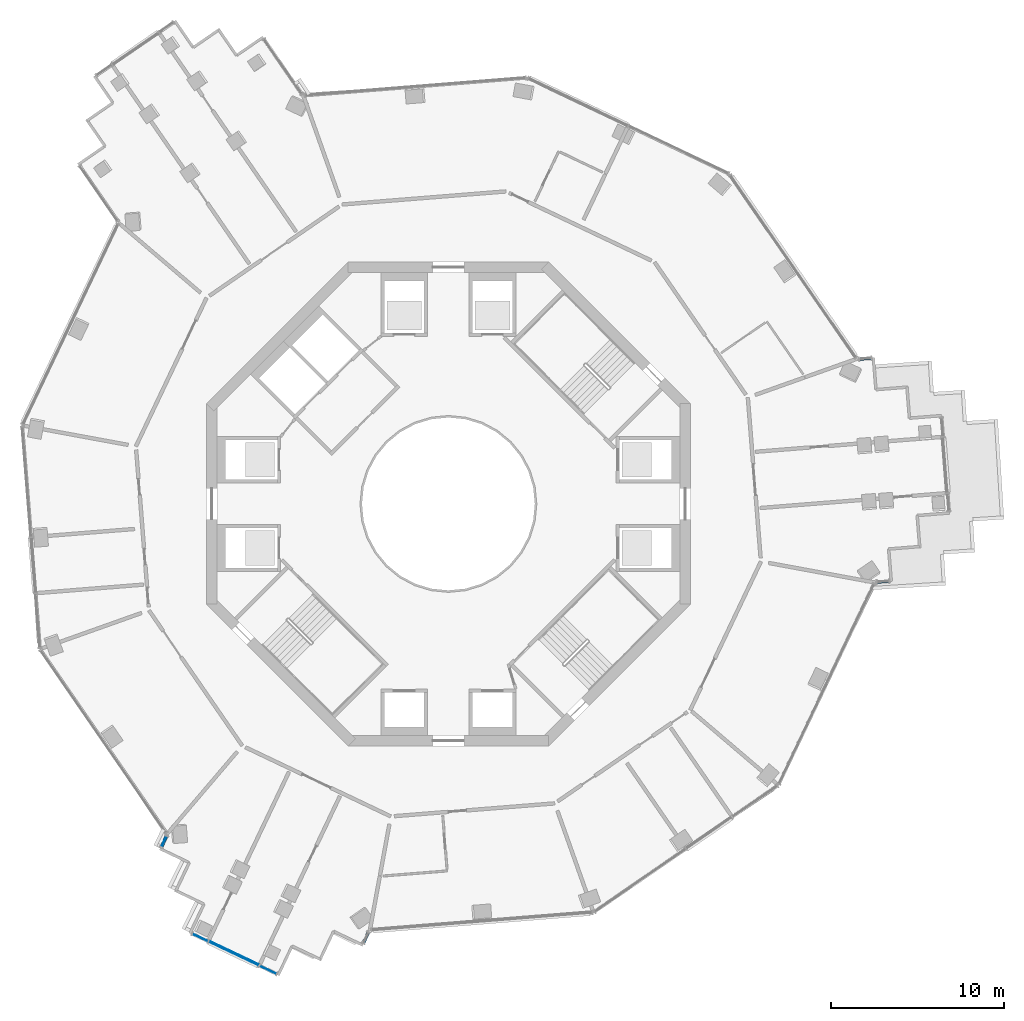
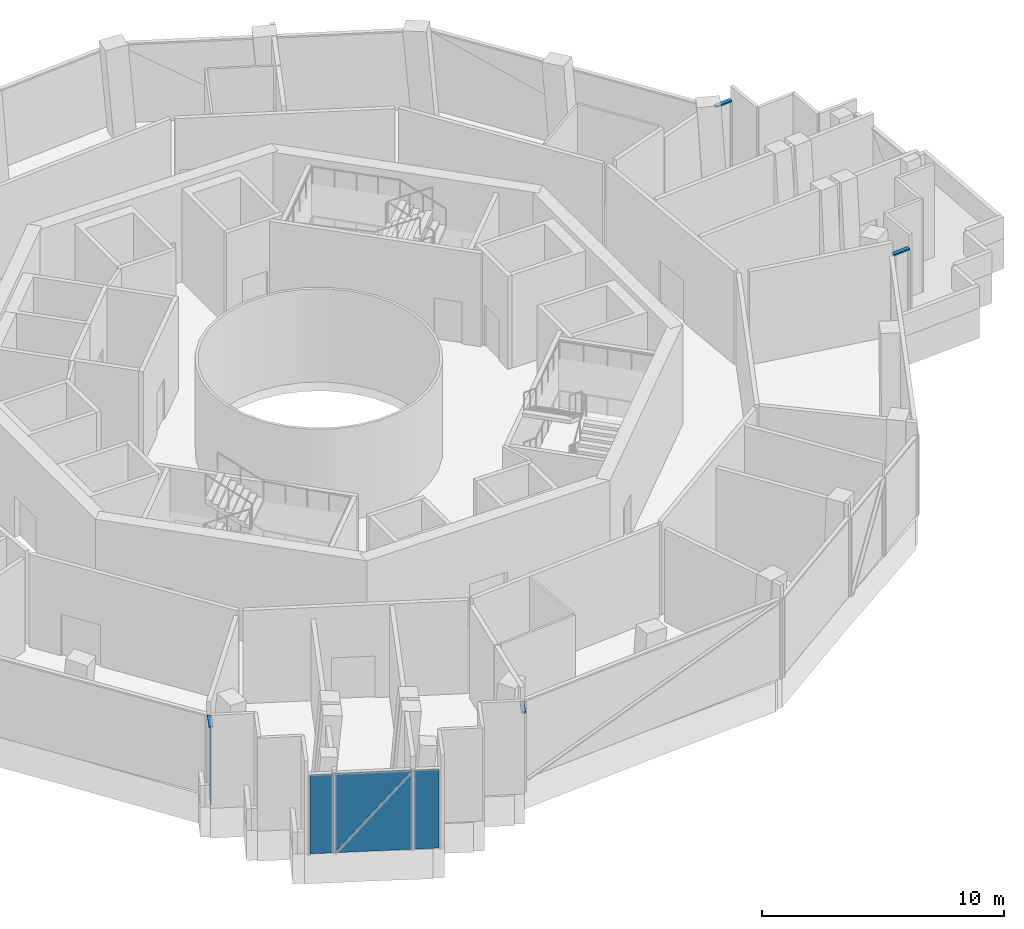
# One storey, part 6 of 21: 5 plates, 4 members, 5 elements without a shape of their own.
"""IFC4 building model written with IfcOpenShell, lengths in metres."""

from ifc_helpers import new_model, si_unit, direction, frame, origin, origin_2d, place, context, subcontext, project, spatial, polyline, rectangle, outline, extrude, material, layer, layer_set, material_profile, profile_set, type_object, element, aggregate, save


model = new_model("IFC4")

# Units and contexts
model_context = context("Model", 3, precision=1e-05, world=origin(), true_north=direction((0.0, 1.0)))
body_context = subcontext(model_context, "Body", "Model", "MODEL_VIEW")
ifc_project = project(units=[si_unit("LENGTHUNIT", "METRE"), si_unit("AREAUNIT", "SQUARE_METRE"), si_unit("VOLUMEUNIT", "CUBIC_METRE"), si_unit("PLANEANGLEUNIT", "RADIAN"), si_unit("MASSUNIT", "GRAM", prefix="KILO")], contexts=[model_context])

# Site, building, storey
site_placement = place(None, origin())
site = spatial("IfcSite", under=ifc_project, at=site_placement, CompositionType="ELEMENT")
building_placement = place(site_placement, origin())
building = spatial("IfcBuilding", under=site, at=building_placement, Name="Verdalira Terraces Hotel", CompositionType="ELEMENT")
storey_placement = place(building_placement, frame((0.0, 0.0, 175.0)))
storey = spatial("IfcBuildingStorey", under=building, at=storey_placement, Name="L42", CompositionType="ELEMENT", Elevation=175.0)

# Curtain wall, member
ifc_material_1 = material(Name="Clear glass", Category="glass")
ifc_layer_1 = layer(ifc_material_1, 0.239990234375)
ifc_layer_set_1 = layer_set([ifc_layer_1], Name="CW5 curtain wall")
curtain_wall_type = type_object("IfcCurtainWallType", Name="CW5 curtain wall", PredefinedType="NOTDEFINED", material=ifc_layer_set_1)
curtain_wall_1_placement = place(storey_placement, origin())
curtain_wall_1 = element("IfcCurtainWall", 1, at=curtain_wall_1_placement, inside=storey, type_object=curtain_wall_type, Name="CW5 curtain wall L42 edge 14", PredefinedType="NOTDEFINED")
ifc_material_2 = material(Name="Terracotta frame", Category="masonry")
ifc_material_profile = material_profile(ifc_material_2, rectangle(XDim=0.189941, YDim=0.074951, at=origin_2d()), Name="TR 75x190")
ifc_profile_set = profile_set([ifc_material_profile], Name="Terracotta frame")
member_type = type_object("IfcMemberType", Name="CW5 transom 75x190", PredefinedType="USERDEFINED", material=ifc_profile_set)
member_1_placement = place(storey_placement, frame((-16.2854, -19.173828, 4.002441), z_axis=(-0.429755474, -0.90294531, 0.0), x_axis=(0.90294531, -0.429755474, 0.0)))
member_1 = element("IfcMember", 2, at=member_1_placement, type_object=member_type, Name="CW5 transom", ObjectType="TRANSOM", PredefinedType="USERDEFINED", context=body_context, shape_type="SweptSolid", body=[
    extrude(rectangle(XDim=0.189941, YDim=0.074951, at=origin_2d()), origin(), (0.0, 0.0, 1.0), 0.798096),
])

curtain_wall_2_placement = place(storey_placement, origin())
curtain_wall_2 = element("IfcCurtainWall", 3, at=curtain_wall_2_placement, inside=storey, type_object=curtain_wall_type, Name="CW5 curtain wall L42 edge 24", PredefinedType="NOTDEFINED")
member_2_placement = place(storey_placement, frame((-4.943115, -25.453125, 4.002441), z_axis=(0.429506041, 0.903063985, 0.0), x_axis=(-0.903063985, 0.429506041, 0.0)))
member_2 = element("IfcMember", 4, at=member_2_placement, type_object=member_type, Name="CW5 transom", ObjectType="TRANSOM", PredefinedType="USERDEFINED", context=body_context, shape_type="SweptSolid", body=[
    extrude(rectangle(XDim=0.189941, YDim=0.074951, at=origin_2d()), origin(), (0.0, 0.0, 1.0), 0.798096),
])
aggregate(curtain_wall_2, [member_2])

curtain_wall_3_placement = place(storey_placement, origin())
curtain_wall_3 = element("IfcCurtainWall", 5, at=curtain_wall_3_placement, inside=storey, type_object=curtain_wall_type, Name="CW5 curtain wall L42 edge 28", PredefinedType="NOTDEFINED")
member_3_placement = place(storey_placement, frame((24.747803, -4.516846, 4.002441), z_axis=(0.996830825, 0.079550649, 0.0), x_axis=(-0.079550649, 0.996830825, 0.0)))
member_3 = element("IfcMember", 6, at=member_3_placement, type_object=member_type, Name="CW5 transom", ObjectType="TRANSOM", PredefinedType="USERDEFINED", context=body_context, shape_type="SweptSolid", body=[
    extrude(rectangle(XDim=0.189941, YDim=0.074951, at=origin_2d()), origin(), (0.0, 0.0, 1.0), 0.797852),
])
aggregate(curtain_wall_3, [member_3])

curtain_wall_4_placement = place(storey_placement, origin())
curtain_wall_4 = element("IfcCurtainWall", 7, at=curtain_wall_4_placement, inside=storey, type_object=curtain_wall_type, Name="CW5 curtain wall L42 edge 38", PredefinedType="NOTDEFINED")
member_4_placement = place(storey_placement, frame((24.514404, 8.445801, 4.002441), z_axis=(-0.996830825, -0.079550649, 0.0), x_axis=(0.079550649, -0.996830825, 0.0)))
member_4 = element("IfcMember", 8, at=member_4_placement, type_object=member_type, Name="CW5 transom", ObjectType="TRANSOM", PredefinedType="USERDEFINED", context=body_context, shape_type="SweptSolid", body=[
    extrude(rectangle(XDim=0.189941, YDim=0.074951, at=origin_2d()), origin(), (0.0, 0.0, 1.0), 0.797852),
])
aggregate(curtain_wall_4, [member_4])

# Plate
ifc_material_3 = material(Name="Clear glass", Category="glass")
ifc_layer_2 = layer(ifc_material_3, 0.0439453125)
ifc_layer_set_2 = layer_set([ifc_layer_2], Name="CW5 glass unit 44")
plate_type = type_object("IfcPlateType", Name="CW5 glass unit 44", PredefinedType="CURTAIN_PANEL", material=ifc_layer_set_2)
plate_1_placement = place(storey_placement, frame((-16.457031, -19.53418, 0.0), z_axis=(0.0, 0.0, 1.0), x_axis=(-0.429565676, -0.90303562, 0.0)))
plate_1 = element("IfcPlate", 9, at=plate_1_placement, type_object=plate_type, Name="CW5 glass unit", PredefinedType="CURTAIN_PANEL", context=body_context, shape_type="SweptSolid", body=[
    extrude(rectangle(XDim=0.657959, YDim=0.043945, at=origin_2d()), origin(), (0.0, 0.0, 1.0), 3.965088),
])

aggregate(curtain_wall_1, [member_1, plate_1])

# Curtain wall, plates
curtain_wall_5_placement = place(storey_placement, origin())
curtain_wall_5 = element("IfcCurtainWall", 10, at=curtain_wall_5_placement, inside=storey, type_object=curtain_wall_type, Name="CW5 curtain wall L42 edge 19", PredefinedType="NOTDEFINED")
plate_2_placement = place(storey_placement, frame((-14.363525, -25.091064, 0.0), z_axis=(0.0, 0.0, 1.0), x_axis=(0.90303562, -0.429565676, 0.0)))
plate_2 = element("IfcPlate", 11, at=plate_2_placement, type_object=plate_type, Name="CW5 glass unit", PredefinedType="CURTAIN_PANEL", context=body_context, shape_type="SweptSolid", body=[
    extrude(rectangle(XDim=0.974854, YDim=0.043945, at=origin_2d()), origin(), (0.0, 0.0, 1.0), 3.965088),
])
plate_3_placement = place(storey_placement, frame((-12.408203, -25.99707, 1.982422), z_axis=(-0.429565676, -0.90303562, 0.0), x_axis=(0.90303562, -0.429565676, 0.0)))
plate_3 = element("IfcPlate", 12, at=plate_3_placement, type_object=plate_type, Name="CW5 glass unit", PredefinedType="CURTAIN_PANEL", context=body_context, shape_type="SweptSolid", body=[
    extrude(outline(polyline([(-1.597168, -1.982422), (1.597168, -1.982422), (1.597168, 1.982422), (-1.597168, -1.982422)])), origin(), (0.0, 0.0, 1.0), 0.043945),
])
plate_4_placement = place(storey_placement, frame((-12.388916, -25.956543, 1.982422), z_axis=(-0.429565676, -0.90303562, 0.0), x_axis=(0.90303562, -0.429565676, 0.0)))
plate_4 = element("IfcPlate", 13, at=plate_4_placement, type_object=plate_type, Name="CW5 glass unit", PredefinedType="CURTAIN_PANEL", context=body_context, shape_type="SweptSolid", body=[
    extrude(outline(polyline([(-1.597168, -1.982422), (1.597168, 1.982422), (-1.597168, 1.982422), (-1.597168, -1.982422)])), origin(), (0.0, 0.0, 1.0), 0.043945),
])
plate_5_placement = place(storey_placement, frame((-10.437744, -26.958496, 0.0), z_axis=(0.0, 0.0, 1.0), x_axis=(0.90303562, -0.429565676, 0.0)))
plate_5 = element("IfcPlate", 14, at=plate_5_placement, type_object=plate_type, Name="CW5 glass unit", PredefinedType="CURTAIN_PANEL", context=body_context, shape_type="SweptSolid", body=[
    extrude(rectangle(XDim=1.050537, YDim=0.043945, at=origin_2d()), origin(), (0.0, 0.0, 1.0), 3.965088),
])
aggregate(curtain_wall_5, [plate_2, plate_3, plate_4, plate_5])

save(model, "model.ifc")
